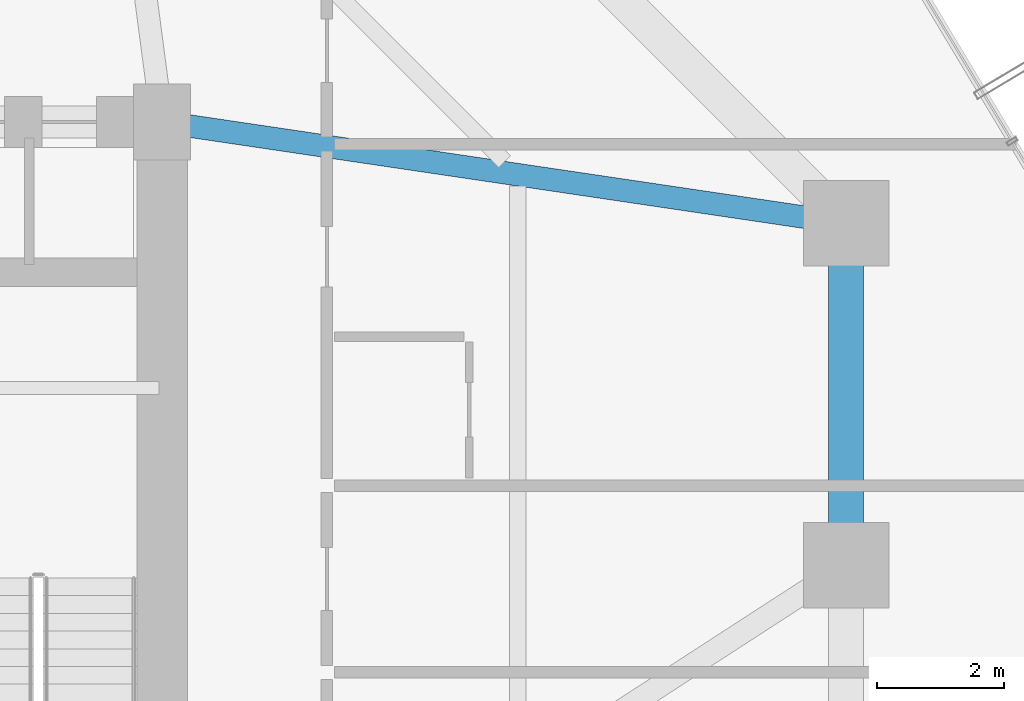
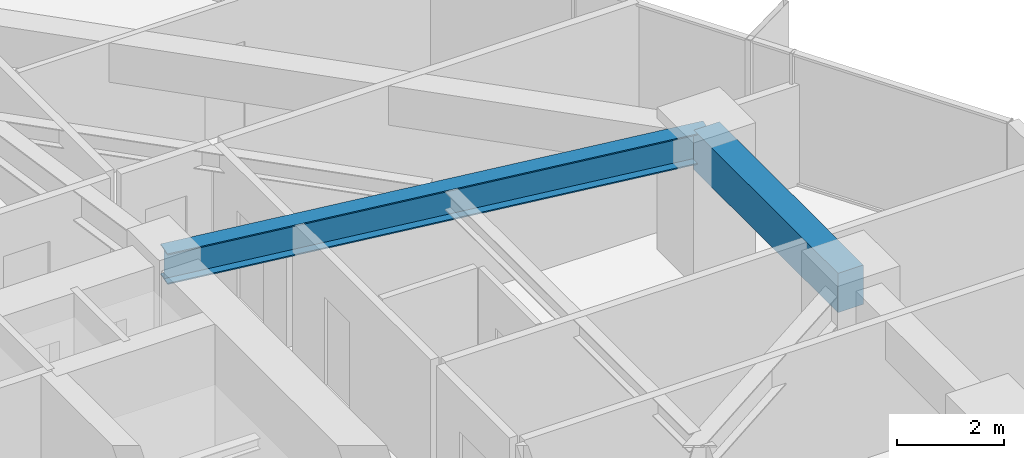
# One storey, part 21 of 39: 2 beams.
"""IFC4 building model written with IfcOpenShell, lengths in metres."""

from ifc_helpers import new_model, si_unit, direction, frame, origin, origin_2d, place, context, subcontext, project, spatial, rectangle, i_section, extrude, material, material_profile, profile_set, type_object, element, save


model = new_model("IFC4")

# Units and contexts
model_context = context("Model", 3, precision=1e-05, world=origin(), true_north=direction((0.0, 1.0)))
body_context = subcontext(model_context, "Body", "Model", "MODEL_VIEW")
ifc_project = project(units=[si_unit("LENGTHUNIT", "METRE"), si_unit("AREAUNIT", "SQUARE_METRE"), si_unit("VOLUMEUNIT", "CUBIC_METRE"), si_unit("PLANEANGLEUNIT", "RADIAN"), si_unit("MASSUNIT", "GRAM", prefix="KILO")], contexts=[model_context])

# Site, building, storey
site_placement = place(None, origin())
site = spatial("IfcSite", under=ifc_project, at=site_placement, CompositionType="ELEMENT")
building_placement = place(site_placement, origin())
building = spatial("IfcBuilding", under=site, at=building_placement, Name="Veraguas Prism Commons", CompositionType="ELEMENT")
storey_placement = place(building_placement, frame((0.0, 0.0, 27.300048828125)))
storey = spatial("IfcBuildingStorey", under=building, at=storey_placement, Name="L06", CompositionType="ELEMENT", Elevation=27.300048828125)

# Beams
ifc_material_1 = material(Name="Concrete C50/60", Category="concrete")
ifc_material_profile_1 = material_profile(ifc_material_1, rectangle(XDim=0.550048828125, YDim=0.89990234375, at=origin_2d()), Name="RC550X900")
ifc_profile_set_1 = profile_set([ifc_material_profile_1], Name="Concrete C50/60")
beam_type_1 = type_object("IfcBeamType", Name="Perimeter Spandrel Lower RC 550x900", PredefinedType="SPANDREL", material=ifc_profile_set_1)
beam_1_placement = place(storey_placement, frame((41.60009765625, 24.0, 2.550048828125), z_axis=(0.0, 1.0, 0.0), x_axis=(-1.0, 0.0, 0.0)))
element("IfcBeam", 1, at=beam_1_placement, inside=storey, type_object=beam_type_1, Name="Perimeter Spandrel Beam L06-SP02", PredefinedType="SPANDREL", context=body_context, shape_type="SweptSolid", body=[
    extrude(rectangle(XDim=0.550048828125, YDim=0.89990234375, at=origin_2d()), origin(), (0.0, 0.0, 1.0), 5.39990234375),
])
ifc_material_2 = material(Name="Steel ASTM A992 Grade 50", Category="steel")
ifc_material_profile_2 = material_profile(ifc_material_2, i_section(OverallWidth=0.35595703125, OverallDepth=0.700927734375, WebThickness=0.016845703125, FlangeThickness=0.02734375, at=origin_2d()), Name="W690X240")
ifc_profile_set_2 = profile_set([ifc_material_profile_2], Name="Steel ASTM A992 Grade 50")
beam_type_2 = type_object("IfcBeamType", Name="Zone 1 Radial Girder W690x240", PredefinedType="BEAM", material=ifc_profile_set_2)
beam_2_placement = place(storey_placement, frame((41.60009765625, 29.39990234375, 2.6494140625), z_axis=(-0.989202261707, 0.146556765224, 0.0), x_axis=(-0.146556765224, -0.989202261707, 0.0)))
element("IfcBeam", 2, at=beam_2_placement, inside=storey, type_object=beam_type_2, Name="Radial Floor Girder L06-RD03", PredefinedType="BEAM", context=body_context, shape_type="SweptSolid", body=[
    extrude(i_section(OverallWidth=0.35595703125, OverallDepth=0.700927734375, WebThickness=0.016845703125, FlangeThickness=0.02734375, at=origin_2d()), origin(), (0.0, 0.0, 1.0), 10.91796875),
])

save(model, "model.ifc")
